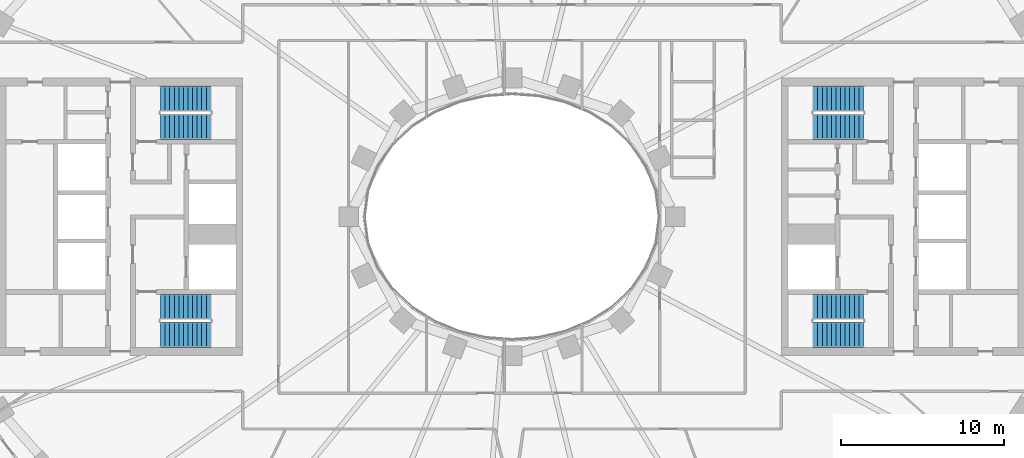
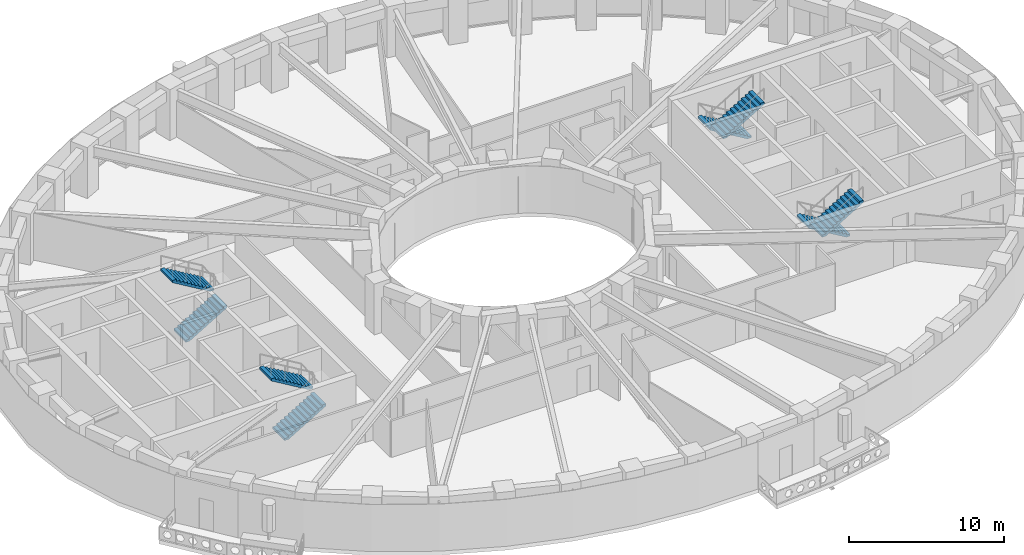
# One storey, part 7 of 16: 8 stair flights, 4 elements without a shape of their own.
"""IFC4 building model written with IfcOpenShell, lengths in metres."""

from ifc_helpers import new_model, si_unit, direction, frame, origin, place, context, subcontext, project, spatial, polyline, outline, extrude, material, type_object, element, aggregate, save


model = new_model("IFC4")

# Units and contexts
model_context = context("Model", 3, precision=1e-05, world=origin(), true_north=direction((0.0, 1.0)))
body_context = subcontext(model_context, "Body", "Model", "MODEL_VIEW")
ifc_project = project(units=[si_unit("LENGTHUNIT", "METRE"), si_unit("AREAUNIT", "SQUARE_METRE"), si_unit("VOLUMEUNIT", "CUBIC_METRE"), si_unit("PLANEANGLEUNIT", "RADIAN"), si_unit("MASSUNIT", "GRAM", prefix="KILO")], contexts=[model_context])

# Site, building, storey
site_placement = place(None, origin())
site = spatial("IfcSite", under=ifc_project, at=site_placement, CompositionType="ELEMENT")
building_placement = place(site_placement, origin())
building = spatial("IfcBuilding", under=site, at=building_placement, Name="Noorbagh Ring Tower", CompositionType="ELEMENT")
storey_placement = place(building_placement, frame((0.0, 0.0, 108.0)))
storey = spatial("IfcBuildingStorey", under=building, at=storey_placement, Name="L24", CompositionType="ELEMENT", Elevation=108.0)

# Stair, stair flights
ifc_material_1 = material(Name="Concrete C40/50", Category="concrete")
stair_type = type_object("IfcStairType", Name="CORE-STAIR", PredefinedType="HALF_TURN_STAIR", material=ifc_material_1)
stair_1_placement = place(storey_placement, origin())
stair_1 = element("IfcStair", 1, at=stair_1_placement, inside=storey, type_object=stair_type, Name="L24 Exit stair ST1", PredefinedType="HALF_TURN_STAIR")
ifc_material_2 = material(Name="Concrete C40/50", Category="concrete")
stair_flight_type = type_object("IfcStairFlightType", Name="CORE-STAIR-FLIGHT", PredefinedType="STRAIGHT", material=ifc_material_2)
stair_flight_1_placement = place(storey_placement, frame((-21.530029296875, 5.52490234375, 0.0), z_axis=(0.0, 0.0, 1.0), x_axis=(1.0, 0.0, 0.0)))
stair_flight_1 = element("IfcStairFlight", 2, at=stair_flight_1_placement, type_object=stair_flight_type, Name="ST1 flight 1", NumberOfRisers=12, NumberOfTreads=11, PredefinedType="STRAIGHT", RiserHeight=0.166666667, TreadLength=0.28, context=body_context, shape_type="SweptSolid", body=[
    extrude(outline(polyline([(0.0, 0.0), (0.0, 0.166748046875), (0.280029296875, 0.166748046875), (0.280029296875, 0.333251953125), (0.56005859375, 0.333251953125), (0.56005859375, 0.5), (0.840087890625, 0.5), (0.840087890625, 0.666748046875), (1.1201171875, 0.666748046875), (1.1201171875, 0.833251953125), (1.39990234375, 0.833251953125), (1.39990234375, 1.0), (1.679931640625, 1.0), (1.679931640625, 1.166748046875), (1.9599609375, 1.166748046875), (1.9599609375, 1.333251953125), (2.239990234375, 1.333251953125), (2.239990234375, 1.5), (2.52001953125, 1.5), (2.52001953125, 1.666748046875), (2.800048828125, 1.666748046875), (2.800048828125, 1.833251953125), (3.080078125, 1.833251953125), (3.080078125, 2.0), (3.080078125, 1.658935546875), (0.29296875, 0.0), (0.0, 0.0)])), frame((0.0, 0.77490234375, 0.0), z_axis=(0.0, -1.0, 0.0), x_axis=(1.0, 0.0, 0.0)), (0.0, 0.0, 1.0), 1.550048828125),
])
stair_flight_2_placement = place(storey_placement, frame((-18.449951171875, 7.22509765625, 2.0), z_axis=(0.0, 0.0, 1.0), x_axis=(-1.0, 0.0, 0.0)))
stair_flight_2 = element("IfcStairFlight", 3, at=stair_flight_2_placement, type_object=stair_flight_type, Name="ST1 flight 2", NumberOfRisers=12, NumberOfTreads=11, PredefinedType="STRAIGHT", RiserHeight=0.166666667, TreadLength=0.28, context=body_context, shape_type="SweptSolid", body=[
    extrude(outline(polyline([(0.0, 0.0), (0.0, 0.166748046875), (0.280029296875, 0.166748046875), (0.280029296875, 0.333251953125), (0.56005859375, 0.333251953125), (0.56005859375, 0.5), (0.840087890625, 0.5), (0.840087890625, 0.666748046875), (1.1201171875, 0.666748046875), (1.1201171875, 0.833251953125), (1.39990234375, 0.833251953125), (1.39990234375, 1.0), (1.679931640625, 1.0), (1.679931640625, 1.166748046875), (1.9599609375, 1.166748046875), (1.9599609375, 1.333251953125), (2.239990234375, 1.333251953125), (2.239990234375, 1.5), (2.52001953125, 1.5), (2.52001953125, 1.666748046875), (2.800048828125, 1.666748046875), (2.800048828125, 1.833251953125), (3.080078125, 1.833251953125), (3.080078125, 2.0), (3.080078125, 1.658935546875), (0.29296875, 0.0), (0.0, 0.0)])), frame((0.0, 0.77490234375, 0.0), z_axis=(0.0, -1.0, 0.0), x_axis=(1.0, 0.0, 0.0)), (0.0, 0.0, 1.0), 1.550048828125),
])
aggregate(stair_1, [stair_flight_1, stair_flight_2])

stair_2_placement = place(storey_placement, origin())
stair_2 = element("IfcStair", 4, at=stair_2_placement, inside=storey, type_object=stair_type, Name="L24 Exit stair ST2", PredefinedType="HALF_TURN_STAIR")
stair_flight_3_placement = place(storey_placement, frame((-21.530029296875, -7.22509765625, 0.0), z_axis=(0.0, 0.0, 1.0), x_axis=(1.0, 0.0, 0.0)))
stair_flight_3 = element("IfcStairFlight", 5, at=stair_flight_3_placement, type_object=stair_flight_type, Name="ST2 flight 1", NumberOfRisers=12, NumberOfTreads=11, PredefinedType="STRAIGHT", RiserHeight=0.166666667, TreadLength=0.28, context=body_context, shape_type="SweptSolid", body=[
    extrude(outline(polyline([(0.0, 0.0), (0.0, 0.166748046875), (0.280029296875, 0.166748046875), (0.280029296875, 0.333251953125), (0.56005859375, 0.333251953125), (0.56005859375, 0.5), (0.840087890625, 0.5), (0.840087890625, 0.666748046875), (1.1201171875, 0.666748046875), (1.1201171875, 0.833251953125), (1.39990234375, 0.833251953125), (1.39990234375, 1.0), (1.679931640625, 1.0), (1.679931640625, 1.166748046875), (1.9599609375, 1.166748046875), (1.9599609375, 1.333251953125), (2.239990234375, 1.333251953125), (2.239990234375, 1.5), (2.52001953125, 1.5), (2.52001953125, 1.666748046875), (2.800048828125, 1.666748046875), (2.800048828125, 1.833251953125), (3.080078125, 1.833251953125), (3.080078125, 2.0), (3.080078125, 1.658935546875), (0.29296875, 0.0), (0.0, 0.0)])), frame((0.0, 0.77490234375, 0.0), z_axis=(0.0, -1.0, 0.0), x_axis=(1.0, 0.0, 0.0)), (0.0, 0.0, 1.0), 1.550048828125),
])
stair_flight_4_placement = place(storey_placement, frame((-18.449951171875, -5.52490234375, 2.0), z_axis=(0.0, 0.0, 1.0), x_axis=(-1.0, 0.0, 0.0)))
stair_flight_4 = element("IfcStairFlight", 6, at=stair_flight_4_placement, type_object=stair_flight_type, Name="ST2 flight 2", NumberOfRisers=12, NumberOfTreads=11, PredefinedType="STRAIGHT", RiserHeight=0.166666667, TreadLength=0.28, context=body_context, shape_type="SweptSolid", body=[
    extrude(outline(polyline([(0.0, 0.0), (0.0, 0.166748046875), (0.280029296875, 0.166748046875), (0.280029296875, 0.333251953125), (0.56005859375, 0.333251953125), (0.56005859375, 0.5), (0.840087890625, 0.5), (0.840087890625, 0.666748046875), (1.1201171875, 0.666748046875), (1.1201171875, 0.833251953125), (1.39990234375, 0.833251953125), (1.39990234375, 1.0), (1.679931640625, 1.0), (1.679931640625, 1.166748046875), (1.9599609375, 1.166748046875), (1.9599609375, 1.333251953125), (2.239990234375, 1.333251953125), (2.239990234375, 1.5), (2.52001953125, 1.5), (2.52001953125, 1.666748046875), (2.800048828125, 1.666748046875), (2.800048828125, 1.833251953125), (3.080078125, 1.833251953125), (3.080078125, 2.0), (3.080078125, 1.658935546875), (0.29296875, 0.0), (0.0, 0.0)])), frame((0.0, 0.77490234375, 0.0), z_axis=(0.0, -1.0, 0.0), x_axis=(1.0, 0.0, 0.0)), (0.0, 0.0, 1.0), 1.550048828125),
])
aggregate(stair_2, [stair_flight_3, stair_flight_4])

stair_3_placement = place(storey_placement, origin())
stair_3 = element("IfcStair", 7, at=stair_3_placement, inside=storey, type_object=stair_type, Name="L24 Exit stair ST3", PredefinedType="HALF_TURN_STAIR")
stair_flight_5_placement = place(storey_placement, frame((21.530029296875, 7.22509765625, 0.0), z_axis=(0.0, 0.0, 1.0), x_axis=(-1.0, 0.0, 0.0)))
stair_flight_5 = element("IfcStairFlight", 8, at=stair_flight_5_placement, type_object=stair_flight_type, Name="ST3 flight 1", NumberOfRisers=12, NumberOfTreads=11, PredefinedType="STRAIGHT", RiserHeight=0.166666667, TreadLength=0.28, context=body_context, shape_type="SweptSolid", body=[
    extrude(outline(polyline([(0.0, 0.0), (0.0, 0.166748046875), (0.280029296875, 0.166748046875), (0.280029296875, 0.333251953125), (0.56005859375, 0.333251953125), (0.56005859375, 0.5), (0.840087890625, 0.5), (0.840087890625, 0.666748046875), (1.1201171875, 0.666748046875), (1.1201171875, 0.833251953125), (1.39990234375, 0.833251953125), (1.39990234375, 1.0), (1.679931640625, 1.0), (1.679931640625, 1.166748046875), (1.9599609375, 1.166748046875), (1.9599609375, 1.333251953125), (2.239990234375, 1.333251953125), (2.239990234375, 1.5), (2.52001953125, 1.5), (2.52001953125, 1.666748046875), (2.800048828125, 1.666748046875), (2.800048828125, 1.833251953125), (3.080078125, 1.833251953125), (3.080078125, 2.0), (3.080078125, 1.658935546875), (0.29296875, 0.0), (0.0, 0.0)])), frame((0.0, 0.77490234375, 0.0), z_axis=(0.0, -1.0, 0.0), x_axis=(1.0, 0.0, 0.0)), (0.0, 0.0, 1.0), 1.550048828125),
])
stair_flight_6_placement = place(storey_placement, frame((18.449951171875, 5.52490234375, 2.0), z_axis=(0.0, 0.0, 1.0), x_axis=(1.0, 0.0, 0.0)))
stair_flight_6 = element("IfcStairFlight", 9, at=stair_flight_6_placement, type_object=stair_flight_type, Name="ST3 flight 2", NumberOfRisers=12, NumberOfTreads=11, PredefinedType="STRAIGHT", RiserHeight=0.166666667, TreadLength=0.28, context=body_context, shape_type="SweptSolid", body=[
    extrude(outline(polyline([(0.0, 0.0), (0.0, 0.166748046875), (0.280029296875, 0.166748046875), (0.280029296875, 0.333251953125), (0.56005859375, 0.333251953125), (0.56005859375, 0.5), (0.840087890625, 0.5), (0.840087890625, 0.666748046875), (1.1201171875, 0.666748046875), (1.1201171875, 0.833251953125), (1.39990234375, 0.833251953125), (1.39990234375, 1.0), (1.679931640625, 1.0), (1.679931640625, 1.166748046875), (1.9599609375, 1.166748046875), (1.9599609375, 1.333251953125), (2.239990234375, 1.333251953125), (2.239990234375, 1.5), (2.52001953125, 1.5), (2.52001953125, 1.666748046875), (2.800048828125, 1.666748046875), (2.800048828125, 1.833251953125), (3.080078125, 1.833251953125), (3.080078125, 2.0), (3.080078125, 1.658935546875), (0.29296875, 0.0), (0.0, 0.0)])), frame((0.0, 0.77490234375, 0.0), z_axis=(0.0, -1.0, 0.0), x_axis=(1.0, 0.0, 0.0)), (0.0, 0.0, 1.0), 1.550048828125),
])
aggregate(stair_3, [stair_flight_5, stair_flight_6])

stair_4_placement = place(storey_placement, origin())
stair_4 = element("IfcStair", 10, at=stair_4_placement, inside=storey, type_object=stair_type, Name="L24 Exit stair ST4", PredefinedType="HALF_TURN_STAIR")
stair_flight_7_placement = place(storey_placement, frame((21.530029296875, -5.52490234375, 0.0), z_axis=(0.0, 0.0, 1.0), x_axis=(-1.0, 0.0, 0.0)))
stair_flight_7 = element("IfcStairFlight", 11, at=stair_flight_7_placement, type_object=stair_flight_type, Name="ST4 flight 1", NumberOfRisers=12, NumberOfTreads=11, PredefinedType="STRAIGHT", RiserHeight=0.166666667, TreadLength=0.28, context=body_context, shape_type="SweptSolid", body=[
    extrude(outline(polyline([(0.0, 0.0), (0.0, 0.166748046875), (0.280029296875, 0.166748046875), (0.280029296875, 0.333251953125), (0.56005859375, 0.333251953125), (0.56005859375, 0.5), (0.840087890625, 0.5), (0.840087890625, 0.666748046875), (1.1201171875, 0.666748046875), (1.1201171875, 0.833251953125), (1.39990234375, 0.833251953125), (1.39990234375, 1.0), (1.679931640625, 1.0), (1.679931640625, 1.166748046875), (1.9599609375, 1.166748046875), (1.9599609375, 1.333251953125), (2.239990234375, 1.333251953125), (2.239990234375, 1.5), (2.52001953125, 1.5), (2.52001953125, 1.666748046875), (2.800048828125, 1.666748046875), (2.800048828125, 1.833251953125), (3.080078125, 1.833251953125), (3.080078125, 2.0), (3.080078125, 1.658935546875), (0.29296875, 0.0), (0.0, 0.0)])), frame((0.0, 0.77490234375, 0.0), z_axis=(0.0, -1.0, 0.0), x_axis=(1.0, 0.0, 0.0)), (0.0, 0.0, 1.0), 1.550048828125),
])
stair_flight_8_placement = place(storey_placement, frame((18.449951171875, -7.22509765625, 2.0), z_axis=(0.0, 0.0, 1.0), x_axis=(1.0, 0.0, 0.0)))
stair_flight_8 = element("IfcStairFlight", 12, at=stair_flight_8_placement, type_object=stair_flight_type, Name="ST4 flight 2", NumberOfRisers=12, NumberOfTreads=11, PredefinedType="STRAIGHT", RiserHeight=0.166666667, TreadLength=0.28, context=body_context, shape_type="SweptSolid", body=[
    extrude(outline(polyline([(0.0, 0.0), (0.0, 0.166748046875), (0.280029296875, 0.166748046875), (0.280029296875, 0.333251953125), (0.56005859375, 0.333251953125), (0.56005859375, 0.5), (0.840087890625, 0.5), (0.840087890625, 0.666748046875), (1.1201171875, 0.666748046875), (1.1201171875, 0.833251953125), (1.39990234375, 0.833251953125), (1.39990234375, 1.0), (1.679931640625, 1.0), (1.679931640625, 1.166748046875), (1.9599609375, 1.166748046875), (1.9599609375, 1.333251953125), (2.239990234375, 1.333251953125), (2.239990234375, 1.5), (2.52001953125, 1.5), (2.52001953125, 1.666748046875), (2.800048828125, 1.666748046875), (2.800048828125, 1.833251953125), (3.080078125, 1.833251953125), (3.080078125, 2.0), (3.080078125, 1.658935546875), (0.29296875, 0.0), (0.0, 0.0)])), frame((0.0, 0.77490234375, 0.0), z_axis=(0.0, -1.0, 0.0), x_axis=(1.0, 0.0, 0.0)), (0.0, 0.0, 1.0), 1.550048828125),
])
aggregate(stair_4, [stair_flight_7, stair_flight_8])

save(model, "model.ifc")
